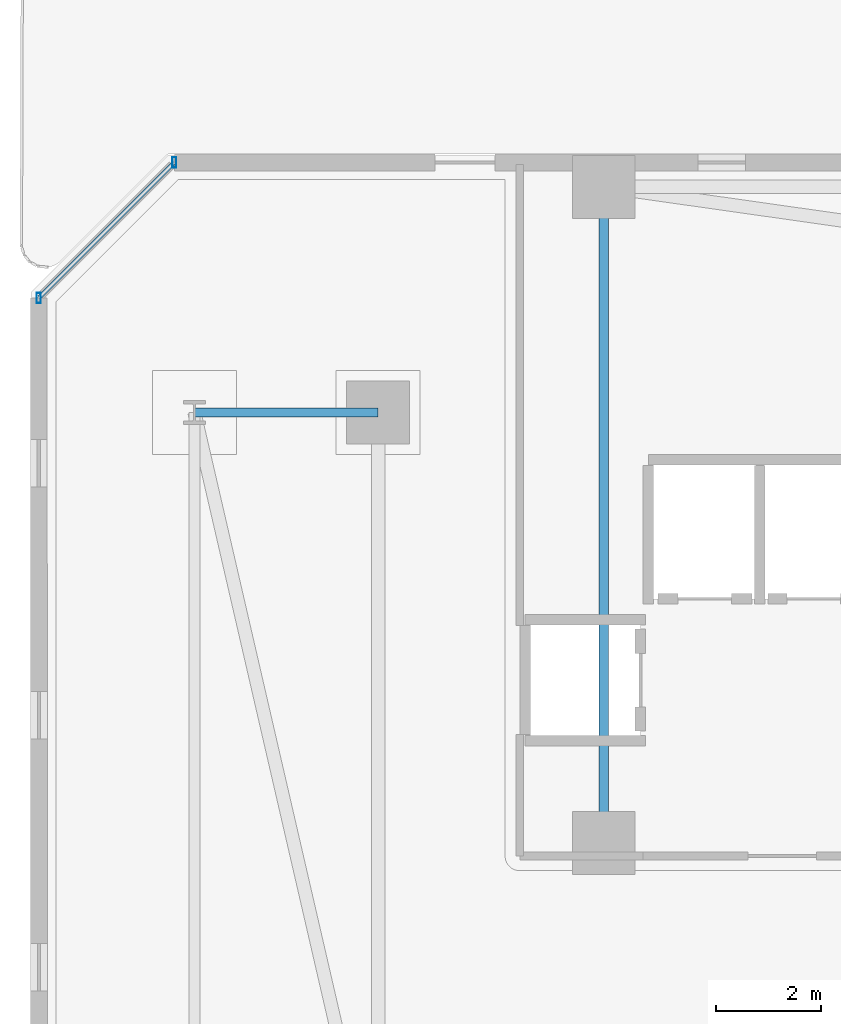
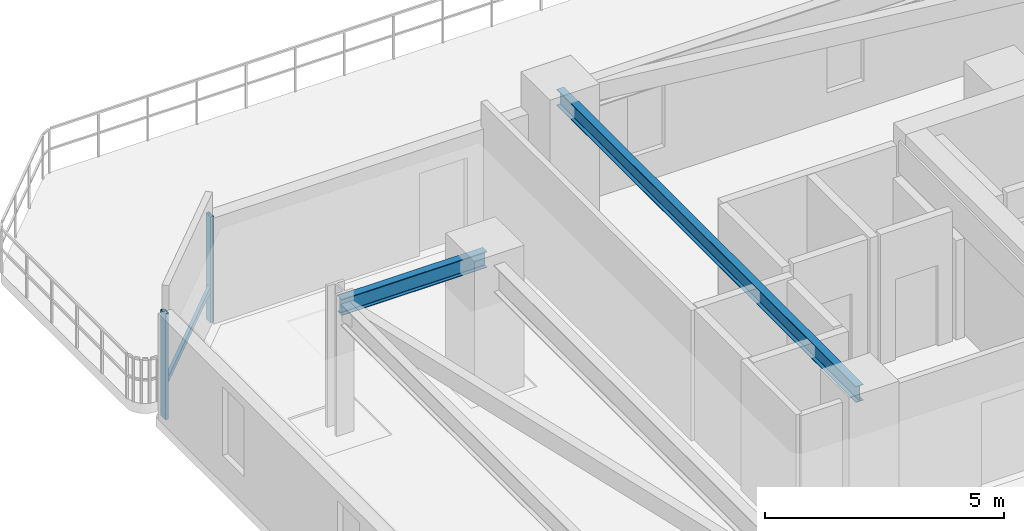
# One storey, part 7 of 31: 3 members, 2 beams, 1 element without a shape of its own.
"""IFC4 building model written with IfcOpenShell, lengths in metres."""

import ifcopenshell
import ifcopenshell.guid

model = None  # the IFC model being written
_history = None  # IfcOwnerHistory: only IFC2X3 demands one
_inside = {}  # id of a spatial element -> (the spatial element, [elements in it])
_under = {}  # id of a project, library or spatial element -> (it, [spatial elements below it])
_declared = {}  # id of a project -> (the project, [libraries it declares])
_typed = {}  # id of a type object -> (the type object, [elements of that type])
_made_of = {}  # id of a material, layer set ... -> (it, [elements and type objects made of it])


def new_model(schema):
    """Start an empty IFC model of exactly this schema.

    Asked for "IFC4X3", IfcOpenShell would pick the latest addendum, in which some entities
    have other attributes; the version numbers below select the first issue.
    IFC2X3 requires an IfcOwnerHistory on every rooted entity: one is made here for all.
    """
    global model, _history
    if schema == "IFC4X3":
        model = ifcopenshell.file(schema_version=(4, 3, 0, 0))
    else:
        model = ifcopenshell.file(schema=schema)
    _inside.clear()
    _under.clear()
    _declared.clear()
    _typed.clear()
    _made_of.clear()
    _history = None
    if model.schema == "IFC2X3":
        org = make("IfcOrganization", Name="unknown")
        user = make(
            "IfcPersonAndOrganization",
            ThePerson=make("IfcPerson", FamilyName="unknown"),
            TheOrganization=org,
        )
        app = make(
            "IfcApplication",
            ApplicationDeveloper=org,
            Version="unknown",
            ApplicationFullName="unknown",
            ApplicationIdentifier="unknown",
        )
        _history = make(
            "IfcOwnerHistory",
            OwningUser=user,
            OwningApplication=app,
            ChangeAction="ADDED",
            CreationDate=0,
        )
    return model


def make(cls, **values):
    """One entity of the class cls with the attributes given. An attribute that is None is left unset."""
    return model.create_entity(
        cls, **{name: value for name, value in values.items() if value is not None}
    )


def rooted(cls, **values):
    """An entity with a GlobalId (a new one), such as an element, a storey or a relation."""
    return make(cls, GlobalId=ifcopenshell.guid.new(), OwnerHistory=_history, **values)


def si_unit(unit_type, name, prefix=None):
    """IfcSIUnit, for example si_unit("LENGTHUNIT", "METRE", prefix="MILLI")."""
    return make("IfcSIUnit", UnitType=unit_type, Prefix=prefix, Name=name)


def assignment(units):
    """IfcUnitAssignment: the units of a project."""
    return None if units is None else make("IfcUnitAssignment", Units=units)


def point(xyz):
    """IfcCartesianPoint."""
    return None if xyz is None else make("IfcCartesianPoint", Coordinates=xyz)


def direction(xyz):
    """IfcDirection."""
    return None if xyz is None else make("IfcDirection", DirectionRatios=xyz)


def frame(location, z_axis=None, x_axis=None):
    """IfcAxis2Placement3D, a coordinate frame: its origin and axes. An axis left out is left unset."""
    return make(
        "IfcAxis2Placement3D",
        Location=point(location),
        Axis=direction(z_axis),
        RefDirection=direction(x_axis),
    )


def frame_2d(location, x_axis=None):
    """IfcAxis2Placement2D, a coordinate frame in the plane: its origin and x axis."""
    return make(
        "IfcAxis2Placement2D", Location=point(location), RefDirection=direction(x_axis)
    )


def origin():
    """The frame at (0, 0, 0) with its axes left unset."""
    return frame((0.0, 0.0, 0.0))


def origin_2d():
    """The frame at (0, 0) in the plane with its x axis left unset."""
    return frame_2d((0.0, 0.0))


def place(relative_to, where):
    """IfcLocalPlacement: puts the frame where relative to a parent placement (None: the world)."""
    return make(
        "IfcLocalPlacement", PlacementRelTo=relative_to, RelativePlacement=where
    )


def context(
    kind, dimensions, precision=None, world=None, true_north=None, identifier=None
):
    """IfcGeometricRepresentationContext, for example the 3D "Model" context."""
    return make(
        "IfcGeometricRepresentationContext",
        ContextIdentifier=identifier,
        ContextType=kind,
        CoordinateSpaceDimension=dimensions,
        Precision=precision,
        WorldCoordinateSystem=world,
        TrueNorth=true_north,
    )


def subcontext(parent, identifier, kind, view, scale=None):
    """IfcGeometricRepresentationSubContext, for example "Body" below "Model"."""
    return make(
        "IfcGeometricRepresentationSubContext",
        ContextIdentifier=identifier,
        ContextType=kind,
        ParentContext=parent,
        TargetScale=scale,
        TargetView=view,
    )


def project(units=None, contexts=None):
    """IfcProject with its units and contexts."""
    return rooted(
        "IfcProject",
        Name="project",
        RepresentationContexts=contexts,
        UnitsInContext=assignment(units),
    )


def spatial(cls, under=None, at=None, **own):
    """A site, building, storey or space (cls), placed at a placement, below another one or the project."""
    s = rooted(cls, ObjectPlacement=at, **own)
    if under is not None:
        _under.setdefault(under.id(), (under, []))[1].append(s)
    return s


def profile(cls, at=None, kind="AREA", **sizes):
    """A parametric profile (cls). Its sizes go by their IFC names, for example OverallWidth=200.0."""
    return make(cls, ProfileType=kind, Position=at, **sizes)


def hollow_rectangle(**sizes):
    """IfcRectangleHollowProfileDef."""
    return profile("IfcRectangleHollowProfileDef", **sizes)


def i_section(**sizes):
    """IfcIShapeProfileDef."""
    return profile("IfcIShapeProfileDef", **sizes)


def extrude(swept, where, along, depth):
    """IfcExtrudedAreaSolid: the profile swept, set in the frame where, extruded along a direction by depth."""
    return make(
        "IfcExtrudedAreaSolid",
        SweptArea=swept,
        Position=where,
        ExtrudedDirection=direction(along),
        Depth=depth,
    )


def shape(context_of_items, identifier, shape_type, items):
    """IfcShapeRepresentation: the items that make up one representation, for example the "Body"."""
    return make(
        "IfcShapeRepresentation",
        ContextOfItems=context_of_items,
        RepresentationIdentifier=identifier,
        RepresentationType=shape_type,
        Items=items,
    )


def material(Name=None, Category=None):
    """IfcMaterial."""
    return make("IfcMaterial", Name=Name, Category=Category)


def material_profile(
    of_material, cross_section, Name=None, Category=None, Priority=None
):
    """IfcMaterialProfile: a cross section and its material."""
    return make(
        "IfcMaterialProfile",
        Name=Name,
        Material=of_material,
        Profile=cross_section,
        Priority=Priority,
        Category=Category,
    )


def profile_set(profiles, Name=None, composite=None):
    """IfcMaterialProfileSet."""
    return make(
        "IfcMaterialProfileSet",
        Name=Name,
        MaterialProfiles=profiles,
        CompositeProfile=composite,
    )


def made_of(thing, what):
    """Note that an element or type object is made of a material, layer set ...; save() writes the relation."""
    if what is not None:
        _made_of.setdefault(what.id(), (what, []))[1].append(thing)
    return thing


def type_object(cls, material=None, **own):
    """A type object (cls), such as IfcWallType, which elements share."""
    return made_of(rooted(cls, **own), material)


def element(
    cls,
    number,
    at=None,
    inside=None,
    cuts=None,
    type_object=None,
    material=None,
    context=None,
    identifier="Body",
    shape_type=None,
    held_by="IfcProductDefinitionShape",
    body=None,
    shapes=None,
    **own,
):
    """One element of the class cls, such as IfcWall. Its Tag is "e" and its number.

    at: its placement. inside: the storey or other place that contains it. cuts: it is an
    opening in that element (IfcRelVoidsElement). A single representation is given by context,
    identifier, shape_type and body (its items); several are given by shapes. held_by: the class
    of the entity that holds the representations. save() writes the other relations.
    """
    e = rooted(cls, Tag="e%d" % number, ObjectPlacement=at, **own)
    if body is not None:
        shapes = [shape(context, identifier, shape_type, body)]
    if shapes is not None:
        e.Representation = make(held_by, Representations=shapes)
    if inside is not None:
        _inside.setdefault(inside.id(), (inside, []))[1].append(e)
    if cuts is not None:
        rooted(
            "IfcRelVoidsElement", RelatingBuildingElement=cuts, RelatedOpeningElement=e
        )
    if type_object is not None:
        _typed.setdefault(type_object.id(), (type_object, []))[1].append(e)
    return made_of(e, material)


def aggregate(whole, parts):
    """IfcRelAggregates: a whole, such as a stair, and the parts it consists of."""
    return rooted("IfcRelAggregates", RelatingObject=whole, RelatedObjects=parts)


def save(model, path):
    """Write the relations noted so far, then the file.

    IfcRelAggregates (storeys below a building ...), IfcRelContainedInSpatialStructure (elements
    in a storey), IfcRelDefinesByType, IfcRelAssociatesMaterial and IfcRelDeclares: one each for
    every whole, place, type object, material and project.
    """
    for whole, parts in _under.values():
        aggregate(whole, parts)
    for where, things in _inside.values():
        rooted(
            "IfcRelContainedInSpatialStructure",
            RelatedElements=things,
            RelatingStructure=where,
        )
    for kind, things in _typed.values():
        rooted("IfcRelDefinesByType", RelatedObjects=things, RelatingType=kind)
    for what, things in _made_of.values():
        rooted("IfcRelAssociatesMaterial", RelatedObjects=things, RelatingMaterial=what)
    for by, libraries in _declared.values():
        rooted("IfcRelDeclares", RelatingContext=by, RelatedDefinitions=libraries)
    model.write(path)


model = new_model("IFC4")

# Units and contexts
model_context = context("Model", 3, precision=1e-05, world=origin(), true_north=direction((0.0, 1.0)))
body_context = subcontext(model_context, "Body", "Model", "MODEL_VIEW")
ifc_project = project(units=[si_unit("LENGTHUNIT", "METRE"), si_unit("AREAUNIT", "SQUARE_METRE"), si_unit("VOLUMEUNIT", "CUBIC_METRE"), si_unit("PLANEANGLEUNIT", "RADIAN"), si_unit("MASSUNIT", "GRAM", prefix="KILO")], contexts=[model_context])

# Site, building, storey
site_placement = place(None, origin())
site = spatial("IfcSite", under=ifc_project, at=site_placement, CompositionType="ELEMENT")
building_placement = place(site_placement, origin())
building = spatial("IfcBuilding", under=site, at=building_placement, Name="Thornwick Lancets Civic Towers", CompositionType="ELEMENT")
storey_placement = place(building_placement, frame((0.0, 0.0, 119.699951171875)))
storey = spatial("IfcBuildingStorey", under=building, at=storey_placement, Name="L31", CompositionType="ELEMENT", Elevation=119.699951171875)

# Beams
ifc_material_1 = material(Name="Steel S355JR", Category="steel")
ifc_material_profile_1 = material_profile(ifc_material_1, i_section(OverallWidth=0.179443359375, OverallDepth=0.412841796875, WebThickness=0.009521484375, FlangeThickness=0.01611328125, FilletRadius=0.01025390625, at=origin_2d()), Name="UKB 406x178x74")
ifc_profile_set_1 = profile_set([ifc_material_profile_1], Name="Steel S355JR")
beam_type = type_object("IfcBeamType", Name="BM_JOIST_406_74", PredefinedType="JOIST", material=ifc_profile_set_1)
beam_1_placement = place(storey_placement, frame((12.5, 31.800048828125, 3.133544921875), z_axis=(0.0, 1.0, 0.0), x_axis=(-1.0, 0.0, 0.0)))
element("IfcBeam", 1, at=beam_1_placement, inside=storey, type_object=beam_type, Name="BM-RADIN-L31-A07", PredefinedType="JOIST", context=body_context, shape_type="SweptSolid", body=[
    extrude(i_section(OverallWidth=0.179443359375, OverallDepth=0.412841796875, WebThickness=0.009521484375, FlangeThickness=0.01611328125, FilletRadius=0.01025390625, at=origin_2d()), origin(), (0.0, 0.0, 1.0), 12.5),
])
beam_2_placement = place(storey_placement, frame((8.199951171875, 40.0, 3.133544921875), z_axis=(-1.0, 0.0, 0.0), x_axis=(0.0, -1.0, 0.0)))
element("IfcBeam", 2, at=beam_2_placement, inside=storey, type_object=beam_type, Name="BM-RAD-L31-A12", PredefinedType="JOIST", context=body_context, shape_type="SweptSolid", body=[
    extrude(i_section(OverallWidth=0.179443359375, OverallDepth=0.412841796875, WebThickness=0.009521484375, FlangeThickness=0.01611328125, FilletRadius=0.01025390625, at=origin_2d()), origin(), (0.0, 0.0, 1.0), 3.5),
])

# Curtain wall, members
ifc_material_2 = material(Name="Mid-zone chamfered-corner unitised glass curtain wall", Category="glass")
curtain_wall_type = type_object("IfcCurtainWallType", Name="CW_SYS_04", PredefinedType="NOTDEFINED", material=ifc_material_2)
curtain_wall_placement = place(storey_placement, origin())
curtain_wall = element("IfcCurtainWall", 3, at=curtain_wall_placement, inside=storey, type_object=curtain_wall_type, Name="L31 Curtain Wall CW-L31-A-E5", PredefinedType="NOTDEFINED")
ifc_material_3 = material(Name="Thermally broken bronze aluminium S355", Category="steel")
ifc_material_profile_2 = material_profile(ifc_material_3, hollow_rectangle(XDim=0.080078125, YDim=0.199951171875, WallThickness=0.006103515625, at=origin_2d()), Name="RHS 200x80x6")
ifc_profile_set_2 = profile_set([ifc_material_profile_2], Name="Thermally broken bronze aluminium S355")
member_type_1 = type_object("IfcMemberType", Name="CW_MUL_200", PredefinedType="MULLION", material=ifc_profile_set_2)
member_1_placement = place(storey_placement, frame((4.318603515625, 44.7646484375, 0.0), z_axis=(0.0, 0.0, 1.0), x_axis=(1.0, 0.0, 0.0)))
member_1 = element("IfcMember", 4, at=member_1_placement, type_object=member_type_1, Name="CW-L31-A-E5 Mullion 0", PredefinedType="MULLION", context=body_context, shape_type="SweptSolid", body=[
    extrude(hollow_rectangle(XDim=0.080078125, YDim=0.199951171875, WallThickness=0.006103515625, at=origin_2d()), origin(), (0.0, 0.0, 1.0), 2.699951171875),
])
member_2_placement = place(storey_placement, frame((1.7353515625, 42.181396484375, 0.0), z_axis=(0.0, 0.0, 1.0), x_axis=(1.0, 0.0, 0.0)))
member_2 = element("IfcMember", 5, at=member_2_placement, type_object=member_type_1, Name="CW-L31-A-E5 Mullion 1", PredefinedType="MULLION", context=body_context, shape_type="SweptSolid", body=[
    extrude(hollow_rectangle(XDim=0.080078125, YDim=0.199951171875, WallThickness=0.006103515625, at=origin_2d()), origin(), (0.0, 0.0, 1.0), 2.699951171875),
])
ifc_material_profile_3 = material_profile(ifc_material_3, hollow_rectangle(XDim=0.074951171875, YDim=0.14990234375, WallThickness=0.0048828125, at=origin_2d()), Name="RHS 150x75x5")
ifc_profile_set_3 = profile_set([ifc_material_profile_3], Name="Thermally broken bronze aluminium S355")
member_type_2 = type_object("IfcMemberType", Name="CW_TRN_150", PredefinedType="USERDEFINED", material=ifc_profile_set_3)
member_3_placement = place(storey_placement, frame((4.304443359375, 44.75048828125, 0.85009765625), z_axis=(-0.707106781187, -0.707106781187, 0.0), x_axis=(0.707106781187, -0.707106781187, 0.0)))
member_3 = element("IfcMember", 6, at=member_3_placement, type_object=member_type_2, Name="CW-L31-A-E5 Transom 0", ObjectType="TRANSOM", PredefinedType="USERDEFINED", context=body_context, shape_type="SweptSolid", body=[
    extrude(hollow_rectangle(XDim=0.074951171875, YDim=0.14990234375, WallThickness=0.0048828125, at=origin_2d()), origin(), (0.0, 0.0, 1.0), 3.61328125),
])
aggregate(curtain_wall, [member_1, member_2, member_3])

save(model, "model.ifc")
